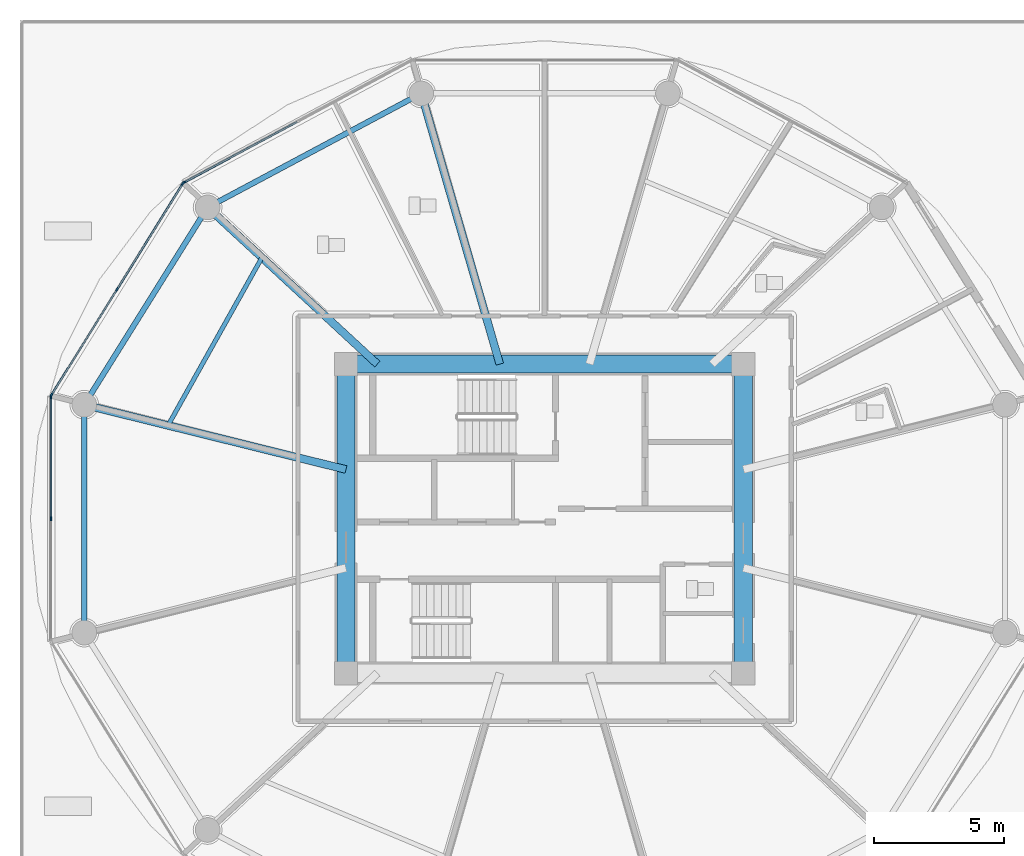
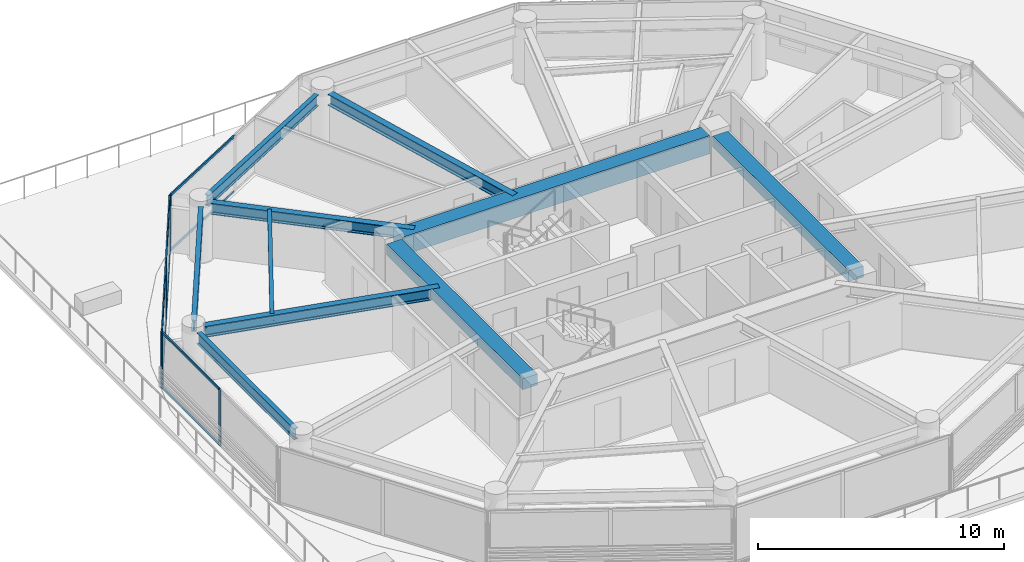
# One storey, part 4 of 32: 14 members, 10 beams, 3 elements without a shape of their own.
"""IFC4 building model written with IfcOpenShell, lengths in metres."""

from ifc_helpers import new_model, si_unit, direction, frame, origin, origin_2d, place, context, subcontext, project, spatial, rectangle, i_section, extrude, source, transform, mapped, material, layer, layer_set, material_profile, profile_set, type_object, type_shapes, element, aggregate, save


model = new_model("IFC4")

# Units and contexts
model_context = context("Model", 3, precision=1e-05, world=origin(), true_north=direction((0.0, 1.0)))
body_context = subcontext(model_context, "Body", "Model", "MODEL_VIEW")
ifc_project = project(units=[si_unit("LENGTHUNIT", "METRE"), si_unit("AREAUNIT", "SQUARE_METRE"), si_unit("VOLUMEUNIT", "CUBIC_METRE"), si_unit("PLANEANGLEUNIT", "RADIAN"), si_unit("MASSUNIT", "GRAM", prefix="KILO")], contexts=[model_context])

# Site, building, storey
site_placement = place(None, origin())
site = spatial("IfcSite", under=ifc_project, at=site_placement, CompositionType="ELEMENT")
building_placement = place(site_placement, origin())
building = spatial("IfcBuilding", under=site, at=building_placement, Name="Norrkilde Senior Care Towers", CompositionType="ELEMENT")
storey_placement = place(building_placement, frame((0.0, 0.0, 21.60009765625)))
storey = spatial("IfcBuildingStorey", under=building, at=storey_placement, Name="L05", CompositionType="ELEMENT", Elevation=21.60009765625)

# Beams
ifc_material_1 = material(Name="Concrete C60/75", Category="concrete")
ifc_material_profile_1 = material_profile(ifc_material_1, rectangle(XDim=0.699951171875, YDim=0.89990234375, at=origin_2d()), Name="RC BM 700x900")
ifc_profile_set_1 = profile_set([ifc_material_profile_1], Name="Concrete C60/75")
beam_type_1 = type_object("IfcBeamType", Name="Core Coupling Girder 700x900", PredefinedType="USERDEFINED", material=ifc_profile_set_1)
shared_shape_1 = source(origin(), body_context, "Body", "SweptSolid", [
    extrude(rectangle(XDim=0.699951171875, YDim=0.89990234375, at=origin_2d()), origin(), (0.0, 0.0, 1.0), 14.43994140625),
])
type_shapes(beam_type_1, [shared_shape_1])
beam_1_placement = place(storey_placement, frame((-35.219970703125, 5.949951171875, 2.33984375), z_axis=(1.0, 0.0, 0.0), x_axis=(0.0, 1.0, 0.0)))
element("IfcBeam", 1, at=beam_1_placement, inside=storey, type_object=beam_type_1, Name="L05 Core W N Coupling Girder", ObjectType="GIRDER", PredefinedType="USERDEFINED", context=body_context, shape_type="MappedRepresentation", body=[
    mapped(shared_shape_1, transform((0.0, 0.0, 0.0), x_axis=(1.0, 0.0, 0.0), y_axis=(0.0, 1.0, 0.0), z_axis=(0.0, 0.0, 1.0), scale=1.0)),
])
ifc_material_profile_2 = material_profile(ifc_material_1, rectangle(XDim=0.699951171875, YDim=0.550048828125, at=origin_2d()), Name="RC BM 700x550")
ifc_profile_set_2 = profile_set([ifc_material_profile_2], Name="Concrete C60/75")
beam_type_2 = type_object("IfcBeamType", Name="Core Portal Coupling Beam 700x550", PredefinedType="USERDEFINED", material=ifc_profile_set_2)
shared_shape_2 = source(origin(), body_context, "Body", "SweptSolid", [
    extrude(rectangle(XDim=0.699951171875, YDim=0.550048828125, at=origin_2d()), origin(), (0.0, 0.0, 1.0), 11.0400390625),
])
type_shapes(beam_type_2, [shared_shape_2])
for number, where, z_axis, x_axis, name in (
    (2, (-35.64990234375, -5.52001953125, 2.514892578125), (0.0, 1.0, 0.0), (-1.0, 0.0, 0.0), "L05 Core W W Coupling Girder"),
    (3, (-20.35009765625, -5.52001953125, 2.514892578125), (0.0, 1.0, 0.0), (-1.0, 0.0, 0.0), "L05 Core W E Coupling Girder"),
):
    element("IfcBeam", number, at=place(storey_placement, frame(where, z_axis=z_axis, x_axis=x_axis)), inside=storey, type_object=beam_type_2, Name=name, ObjectType="GIRDER", PredefinedType="USERDEFINED", context=body_context, shape_type="MappedRepresentation", body=[
        mapped(shared_shape_2, transform((0.0, 0.0, 0.0), x_axis=(1.0, 0.0, 0.0), y_axis=(0.0, 1.0, 0.0), z_axis=(0.0, 0.0, 1.0), scale=1.0)),
    ])
ifc_material_2 = material(Name="Steel S355", Category="steel")
ifc_material_profile_3 = material_profile(ifc_material_2, i_section(OverallWidth=0.2099609375, OverallDepth=0.550048828125, WebThickness=0.010986328125, FlangeThickness=0.01708984375, FilletRadius=0.02392578125, at=origin_2d()), Name="IPE 550")
ifc_profile_set_3 = profile_set([ifc_material_profile_3], Name="Steel S355")
beam_type_3 = type_object("IfcBeamType", Name="Perimeter Ring Spandrel Z1 IPE550", PredefinedType="SPANDREL", material=ifc_profile_set_3)
shared_shape_3 = source(origin(), body_context, "Body", "SweptSolid", [
    extrude(i_section(OverallWidth=0.2099609375, OverallDepth=0.550048828125, WebThickness=0.010986328125, FlangeThickness=0.01708984375, FilletRadius=0.02392578125, at=origin_2d()), origin(), (0.0, 0.0, 1.0), 8.090576171875),
])
beam_2_placement = place(storey_placement, frame((-41.2060546875, 11.61669921875, 2.514892578125), z_axis=(-0.530004364821, -0.84799491347, 0.0), x_axis=(0.84799491347, -0.530004364821, 0.0)))
element("IfcBeam", 4, at=beam_2_placement, inside=storey, type_object=beam_type_3, Name="L05 Drum W Perimeter Spandrel 05", PredefinedType="SPANDREL", context=body_context, shape_type="MappedRepresentation", body=[
    mapped(shared_shape_3, transform((0.0, 0.0, 0.0), x_axis=(1.0, 0.0, 0.0), y_axis=(0.0, 1.0, 0.0), z_axis=(0.0, 0.0, 1.0), scale=1.0)),
])
ifc_material_profile_4 = material_profile(ifc_material_2, i_section(OverallWidth=0.300048828125, OverallDepth=0.550048828125, WebThickness=0.014892578125, FlangeThickness=0.029052734375, FilletRadius=0.027099609375, at=origin_2d()), Name="HEB 550")
ifc_profile_set_4 = profile_set([ifc_material_profile_4], Name="Steel S355")
beam_type_4 = type_object("IfcBeamType", Name="Radial Floor Beam Z1 HEB550", PredefinedType="BEAM", material=ifc_profile_set_4)
shared_shape_4 = source(origin(), body_context, "Body", "SweptSolid", [
    extrude(i_section(OverallWidth=0.300048828125, OverallDepth=0.550048828125, WebThickness=0.014892578125, FlangeThickness=0.029052734375, FilletRadius=0.027099609375, at=origin_2d()), origin(), (0.0, 0.0, 1.0), 9.94384765625),
])
beam_3_placement = place(storey_placement, frame((-35.64990234375, 1.893310546875, 2.514892578125), z_axis=(-0.970707425182, 0.240264634718, 0.0), x_axis=(-0.240264634718, -0.970707425182, 0.0)))
element("IfcBeam", 5, at=beam_3_placement, inside=storey, type_object=beam_type_4, Name="L05 Drum W Radial Floor Beam 06", PredefinedType="BEAM", context=body_context, shape_type="MappedRepresentation", body=[
    mapped(shared_shape_4, transform((0.0, 0.0, 0.0), x_axis=(1.0, 0.0, 0.0), y_axis=(0.0, 1.0, 0.0), z_axis=(0.0, 0.0, 1.0), scale=1.0)),
])
shared_shape_5 = source(origin(), body_context, "Body", "SweptSolid", [
    extrude(i_section(OverallWidth=0.2099609375, OverallDepth=0.550048828125, WebThickness=0.010986328125, FlangeThickness=0.01708984375, FilletRadius=0.02392578125, at=origin_2d()), origin(), (0.0, 0.0, 1.0), 8.452880859375),
])
beam_4_placement = place(storey_placement, frame((-33.133056640625, 16.167724609375, 2.514892578125), z_axis=(-0.882368931134, -0.470558252898, 0.0), x_axis=(0.470558252898, -0.882368931134, 0.0)))
element("IfcBeam", 6, at=beam_4_placement, inside=storey, type_object=beam_type_3, Name="L05 Drum W Perimeter Spandrel 04", PredefinedType="SPANDREL", context=body_context, shape_type="MappedRepresentation", body=[
    mapped(shared_shape_5, transform((0.0, 0.0, 0.0), x_axis=(1.0, 0.0, 0.0), y_axis=(0.0, 1.0, 0.0), z_axis=(0.0, 0.0, 1.0), scale=1.0)),
])
shared_shape_6 = source(origin(), body_context, "Body", "SweptSolid", [
    extrude(i_section(OverallWidth=0.300048828125, OverallDepth=0.550048828125, WebThickness=0.014892578125, FlangeThickness=0.029052734375, FilletRadius=0.027099609375, at=origin_2d()), origin(), (0.0, 0.0, 1.0), 8.459716796875),
])
beam_5_placement = place(storey_placement, frame((-34.44140625, 5.949951171875, 2.514892578125), z_axis=(-0.734573269108, 0.678529374686, 0.0), x_axis=(-0.678529374686, -0.734573269108, 0.0)))
element("IfcBeam", 7, at=beam_5_placement, inside=storey, type_object=beam_type_4, Name="L05 Drum W Radial Floor Beam 05", PredefinedType="BEAM", context=body_context, shape_type="MappedRepresentation", body=[
    mapped(shared_shape_6, transform((0.0, 0.0, 0.0), x_axis=(1.0, 0.0, 0.0), y_axis=(0.0, 1.0, 0.0), z_axis=(0.0, 0.0, 1.0), scale=1.0)),
])
shared_shape_7 = source(origin(), body_context, "Body", "SweptSolid", [
    extrude(i_section(OverallWidth=0.300048828125, OverallDepth=0.550048828125, WebThickness=0.014892578125, FlangeThickness=0.029052734375, FilletRadius=0.027099609375, at=origin_2d()), origin(), (0.0, 0.0, 1.0), 10.4169921875),
])
type_shapes(beam_type_4, [shared_shape_4, shared_shape_6, shared_shape_7])
beam_6_placement = place(storey_placement, frame((-29.72607421875, 5.949951171875, 2.514892578125), z_axis=(-0.278591250785, 0.960409764104, 0.0), x_axis=(-0.960409764104, -0.278591250785, 0.0)))
element("IfcBeam", 8, at=beam_6_placement, inside=storey, type_object=beam_type_4, Name="L05 Drum W Radial Floor Beam 04", PredefinedType="BEAM", context=body_context, shape_type="MappedRepresentation", body=[
    mapped(shared_shape_7, transform((0.0, 0.0, 0.0), x_axis=(1.0, 0.0, 0.0), y_axis=(0.0, 1.0, 0.0), z_axis=(0.0, 0.0, 1.0), scale=1.0)),
])
shared_shape_8 = source(origin(), body_context, "Body", "SweptSolid", [
    extrude(i_section(OverallWidth=0.2099609375, OverallDepth=0.550048828125, WebThickness=0.010986328125, FlangeThickness=0.01708984375, FilletRadius=0.02392578125, at=origin_2d()), origin(), (0.0, 0.0, 1.0), 7.90380859375),
])
type_shapes(beam_type_3, [shared_shape_3, shared_shape_5, shared_shape_8])
beam_7_placement = place(storey_placement, frame((-45.724853515625, 3.951904296875, 2.514892578125), z_axis=(0.0, -1.0, 0.0), x_axis=(1.0, 0.0, 0.0)))
element("IfcBeam", 9, at=beam_7_placement, inside=storey, type_object=beam_type_3, Name="L05 Drum W Perimeter Spandrel 06", PredefinedType="SPANDREL", context=body_context, shape_type="MappedRepresentation", body=[
    mapped(shared_shape_8, transform((0.0, 0.0, 0.0), x_axis=(1.0, 0.0, 0.0), y_axis=(0.0, 1.0, 0.0), z_axis=(0.0, 0.0, 1.0), scale=1.0)),
])
ifc_material_profile_5 = material_profile(ifc_material_2, i_section(OverallWidth=0.169921875, OverallDepth=0.360107421875, WebThickness=0.008056640625, FlangeThickness=0.0126953125, FilletRadius=0.01806640625, at=origin_2d()), Name="IPE 360")
ifc_profile_set_5 = profile_set([ifc_material_profile_5], Name="Steel S355")
beam_type_5 = type_object("IfcBeamType", Name="Secondary Floor Joist IPE360", PredefinedType="JOIST", material=ifc_profile_set_5)
shared_shape_9 = source(origin(), body_context, "Body", "SweptSolid", [
    extrude(i_section(OverallWidth=0.169921875, OverallDepth=0.360107421875, WebThickness=0.008056640625, FlangeThickness=0.0126953125, FilletRadius=0.01806640625, at=origin_2d()), origin(), (0.0, 0.0, 1.0), 7.40771484375),
])
type_shapes(beam_type_5, [shared_shape_9])
beam_8_placement = place(storey_placement, frame((-38.884521484375, 10.05419921875, 2.60986328125), z_axis=(-0.488167754092, -0.872749817453, 0.0), x_axis=(0.872749817453, -0.488167754092, 0.0)))
element("IfcBeam", 10, at=beam_8_placement, inside=storey, type_object=beam_type_5, Name="L05 Drum W Secondary Floor Joist 2", PredefinedType="JOIST", context=body_context, shape_type="MappedRepresentation", body=[
    mapped(shared_shape_9, transform((0.0, 0.0, 0.0), x_axis=(1.0, 0.0, 0.0), y_axis=(0.0, 1.0, 0.0), z_axis=(0.0, 0.0, 1.0), scale=1.0)),
])

# Curtain wall, member
ifc_material_3 = material(Name="Triple Low-E Insulated Glazing", Category="glass")
ifc_layer = layer(ifc_material_3, 0.199951171875)
ifc_layer_set = layer_set([ifc_layer], Name="Triple Low-E Insulated Glazing")
curtain_wall_type = type_object("IfcCurtainWallType", Name="CW2 Zone 1 Memory Care Curtain Wall", PredefinedType="NOTDEFINED", material=ifc_layer_set)
curtain_wall_1_placement = place(storey_placement, origin())
curtain_wall_1 = element("IfcCurtainWall", 11, at=curtain_wall_1_placement, inside=storey, type_object=curtain_wall_type, Name="L05 Drum W Curtain Wall 03", PredefinedType="NOTDEFINED")
ifc_material_4 = material(Name="Anodised Aluminium", Category="aluminium")
ifc_material_profile_6 = material_profile(ifc_material_4, rectangle(XDim=0.06494140625, YDim=0.159912109375, at=origin_2d()), Name="ALU MULL 65x160")
ifc_profile_set_6 = profile_set([ifc_material_profile_6], Name="Anodised Aluminium")
member_type_1 = type_object("IfcMemberType", Name="Curtain Wall Mullion Z1-Z2 65x160", PredefinedType="MULLION", material=ifc_profile_set_6)
shared_shape_10 = source(origin(), body_context, "Body", "SweptSolid", [
    extrude(rectangle(XDim=0.06494140625, YDim=0.159912109375, at=origin_2d()), origin(), (0.0, 0.0, 1.0), 2.789794921875),
])
type_shapes(member_type_1, [shared_shape_10])
member_1_placement = place(storey_placement, frame((-41.88720703125, 12.941162109375, 0.0), z_axis=(0.0, 0.0, 1.0), x_axis=(-0.472607802456, 0.881272866403, 0.0)))
member_1 = element("IfcMember", 12, at=member_1_placement, type_object=member_type_1, Name="CW-2 mullion 1", PredefinedType="MULLION", context=body_context, shape_type="MappedRepresentation", body=[
    mapped(shared_shape_10, transform((0.0, 0.0, 0.0), x_axis=(1.0, 0.0, 0.0), y_axis=(0.0, 1.0, 0.0), z_axis=(0.0, 0.0, 1.0), scale=1.0)),
])

# Curtain wall, members
curtain_wall_2_placement = place(storey_placement, origin())
curtain_wall_2 = element("IfcCurtainWall", 13, at=curtain_wall_2_placement, inside=storey, type_object=curtain_wall_type, Name="L05 Drum W Curtain Wall 04", PredefinedType="NOTDEFINED")
member_2_placement = place(storey_placement, frame((-46.9921875, 4.7587890625, 0.0), z_axis=(0.0, 0.0, 1.0), x_axis=(-0.849305943117, 0.527900951871, 0.0)))
member_2 = element("IfcMember", 14, at=member_2_placement, type_object=member_type_1, Name="CW-2 mullion 1", PredefinedType="MULLION", context=body_context, shape_type="MappedRepresentation", body=[
    mapped(shared_shape_10, transform((0.0, 0.0, 0.0), x_axis=(1.0, 0.0, 0.0), y_axis=(0.0, 1.0, 0.0), z_axis=(0.0, 0.0, 1.0), scale=1.0)),
])
member_3_placement = place(storey_placement, frame((-44.462646484375, 8.82861328125, 0.0), z_axis=(0.0, 0.0, 1.0), x_axis=(-0.849305943117, 0.527900951871, 0.0)))
member_3 = element("IfcMember", 15, at=member_3_placement, type_object=member_type_1, Name="CW-2 mullion 2", PredefinedType="MULLION", context=body_context, shape_type="MappedRepresentation", body=[
    mapped(shared_shape_10, transform((0.0, 0.0, 0.0), x_axis=(1.0, 0.0, 0.0), y_axis=(0.0, 1.0, 0.0), z_axis=(0.0, 0.0, 1.0), scale=1.0)),
])
member_4_placement = place(storey_placement, frame((-41.93310546875, 12.898193359375, 0.0), z_axis=(0.0, 0.0, 1.0), x_axis=(-0.849305943117, 0.527900951871, 0.0)))
member_4 = element("IfcMember", 16, at=member_4_placement, type_object=member_type_1, Name="CW-2 mullion 3", PredefinedType="MULLION", context=body_context, shape_type="MappedRepresentation", body=[
    mapped(shared_shape_10, transform((0.0, 0.0, 0.0), x_axis=(1.0, 0.0, 0.0), y_axis=(0.0, 1.0, 0.0), z_axis=(0.0, 0.0, 1.0), scale=1.0)),
])

curtain_wall_3_placement = place(storey_placement, origin())
curtain_wall_3 = element("IfcCurtainWall", 17, at=curtain_wall_3_placement, inside=storey, type_object=curtain_wall_type, Name="L05 Drum W Curtain Wall 05", PredefinedType="NOTDEFINED")
member_5_placement = place(storey_placement, frame((-47.009521484375, 0.0, 0.0), z_axis=(0.0, 0.0, 1.0), x_axis=(-1.0, 0.0, 0.0)))
member_5 = element("IfcMember", 18, at=member_5_placement, type_object=member_type_1, Name="CW-2 mullion 2", PredefinedType="MULLION", context=body_context, shape_type="MappedRepresentation", body=[
    mapped(shared_shape_10, transform((0.0, 0.0, 0.0), x_axis=(1.0, 0.0, 0.0), y_axis=(0.0, 1.0, 0.0), z_axis=(0.0, 0.0, 1.0), scale=1.0)),
])
member_6_placement = place(storey_placement, frame((-47.009521484375, 4.69873046875, 0.0), z_axis=(0.0, 0.0, 1.0), x_axis=(-1.0, 0.0, 0.0)))
member_6 = element("IfcMember", 19, at=member_6_placement, type_object=member_type_1, Name="CW-2 mullion 3", PredefinedType="MULLION", context=body_context, shape_type="MappedRepresentation", body=[
    mapped(shared_shape_10, transform((0.0, 0.0, 0.0), x_axis=(1.0, 0.0, 0.0), y_axis=(0.0, 1.0, 0.0), z_axis=(0.0, 0.0, 1.0), scale=1.0)),
])

# Member
ifc_material_profile_7 = material_profile(ifc_material_4, rectangle(XDim=0.06005859375, YDim=0.1201171875, at=origin_2d()), Name="ALU TRAN 60x120")
ifc_profile_set_7 = profile_set([ifc_material_profile_7], Name="Anodised Aluminium")
member_type_2 = type_object("IfcMemberType", Name="Curtain Wall Transom Typical 60x120", PredefinedType="USERDEFINED", material=ifc_profile_set_7)
shared_shape_11 = source(origin(), body_context, "Body", "SweptSolid", [
    extrude(rectangle(XDim=0.06005859375, YDim=0.1201171875, at=origin_2d()), origin(), (0.0, 0.0, 1.0), 4.907958984375),
])
member_7_placement = place(storey_placement, frame((-41.858642578125, 12.95654296875, 0.02978515625), z_axis=(0.881266902561, 0.472618923077, 0.0), x_axis=(-0.472618923077, 0.881266902561, 0.0)))
member_7 = element("IfcMember", 20, at=member_7_placement, type_object=member_type_2, Name="CW-2 transom 1.1", ObjectType="TRANSOM", PredefinedType="USERDEFINED", context=body_context, shape_type="MappedRepresentation", body=[
    mapped(shared_shape_11, transform((0.0, 0.0, 0.0), x_axis=(1.0, 0.0, 0.0), y_axis=(0.0, 1.0, 0.0), z_axis=(0.0, 0.0, 1.0), scale=1.0)),
])

member_8_placement = place(storey_placement, frame((-41.858642578125, 12.95654296875, 2.760009765625), z_axis=(0.881266902561, 0.472618923077, 0.0), x_axis=(-0.472618923077, 0.881266902561, 0.0)))
member_8 = element("IfcMember", 21, at=member_8_placement, type_object=member_type_2, Name="CW-2 transom 1.2", ObjectType="TRANSOM", PredefinedType="USERDEFINED", context=body_context, shape_type="MappedRepresentation", body=[
    mapped(shared_shape_11, transform((0.0, 0.0, 0.0), x_axis=(1.0, 0.0, 0.0), y_axis=(0.0, 1.0, 0.0), z_axis=(0.0, 0.0, 1.0), scale=1.0)),
])

aggregate(curtain_wall_1, [member_1, member_7, member_8])

shared_shape_12 = source(origin(), body_context, "Body", "SweptSolid", [
    extrude(rectangle(XDim=0.06005859375, YDim=0.1201171875, at=origin_2d()), origin(), (0.0, 0.0, 1.0), 4.72705078125),
])
member_9_placement = place(storey_placement, frame((-46.97509765625, 4.786376953125, 0.02978515625), z_axis=(0.527898881076, 0.849307230252, 0.0), x_axis=(-0.849307230252, 0.527898881076, 0.0)))
member_9 = element("IfcMember", 22, at=member_9_placement, type_object=member_type_2, Name="CW-2 transom 1.1", ObjectType="TRANSOM", PredefinedType="USERDEFINED", context=body_context, shape_type="MappedRepresentation", body=[
    mapped(shared_shape_12, transform((0.0, 0.0, 0.0), x_axis=(1.0, 0.0, 0.0), y_axis=(0.0, 1.0, 0.0), z_axis=(0.0, 0.0, 1.0), scale=1.0)),
])

member_10_placement = place(storey_placement, frame((-46.97509765625, 4.786376953125, 2.760009765625), z_axis=(0.527898881076, 0.849307230252, 0.0), x_axis=(-0.849307230252, 0.527898881076, 0.0)))
member_10 = element("IfcMember", 23, at=member_10_placement, type_object=member_type_2, Name="CW-2 transom 1.2", ObjectType="TRANSOM", PredefinedType="USERDEFINED", context=body_context, shape_type="MappedRepresentation", body=[
    mapped(shared_shape_12, transform((0.0, 0.0, 0.0), x_axis=(1.0, 0.0, 0.0), y_axis=(0.0, 1.0, 0.0), z_axis=(0.0, 0.0, 1.0), scale=1.0)),
])

shared_shape_13 = source(origin(), body_context, "Body", "SweptSolid", [
    extrude(rectangle(XDim=0.06005859375, YDim=0.1201171875, at=origin_2d()), origin(), (0.0, 0.0, 1.0), 4.726806640625),
])
member_11_placement = place(storey_placement, frame((-44.445556640625, 8.856201171875, 0.02978515625), z_axis=(0.527922038395, 0.849292836056, 0.0), x_axis=(-0.849292836056, 0.527922038395, 0.0)))
member_11 = element("IfcMember", 24, at=member_11_placement, type_object=member_type_2, Name="CW-2 transom 2.1", ObjectType="TRANSOM", PredefinedType="USERDEFINED", context=body_context, shape_type="MappedRepresentation", body=[
    mapped(shared_shape_13, transform((0.0, 0.0, 0.0), x_axis=(1.0, 0.0, 0.0), y_axis=(0.0, 1.0, 0.0), z_axis=(0.0, 0.0, 1.0), scale=1.0)),
])

member_12_placement = place(storey_placement, frame((-44.445556640625, 8.856201171875, 2.760009765625), z_axis=(0.527922038395, 0.849292836056, 0.0), x_axis=(-0.849292836056, 0.527922038395, 0.0)))
member_12 = element("IfcMember", 25, at=member_12_placement, type_object=member_type_2, Name="CW-2 transom 2.2", ObjectType="TRANSOM", PredefinedType="USERDEFINED", context=body_context, shape_type="MappedRepresentation", body=[
    mapped(shared_shape_13, transform((0.0, 0.0, 0.0), x_axis=(1.0, 0.0, 0.0), y_axis=(0.0, 1.0, 0.0), z_axis=(0.0, 0.0, 1.0), scale=1.0)),
])

aggregate(curtain_wall_2, [member_2, member_3, member_4, member_9, member_10, member_11, member_12])

shared_shape_14 = source(origin(), body_context, "Body", "SweptSolid", [
    extrude(rectangle(XDim=0.06005859375, YDim=0.1201171875, at=origin_2d()), origin(), (0.0, 0.0, 1.0), 4.6337890625),
])
type_shapes(member_type_2, [shared_shape_11, shared_shape_12, shared_shape_13, shared_shape_14])
member_13_placement = place(storey_placement, frame((-47.009521484375, 0.032470703125, 0.02978515625), z_axis=(0.0, 1.0, 0.0), x_axis=(-1.0, 0.0, 0.0)))
member_13 = element("IfcMember", 26, at=member_13_placement, type_object=member_type_2, Name="CW-2 transom 2.1", ObjectType="TRANSOM", PredefinedType="USERDEFINED", context=body_context, shape_type="MappedRepresentation", body=[
    mapped(shared_shape_14, transform((0.0, 0.0, 0.0), x_axis=(1.0, 0.0, 0.0), y_axis=(0.0, 1.0, 0.0), z_axis=(0.0, 0.0, 1.0), scale=1.0)),
])

member_14_placement = place(storey_placement, frame((-47.009521484375, 0.032470703125, 2.760009765625), z_axis=(0.0, 1.0, 0.0), x_axis=(-1.0, 0.0, 0.0)))
member_14 = element("IfcMember", 27, at=member_14_placement, type_object=member_type_2, Name="CW-2 transom 2.2", ObjectType="TRANSOM", PredefinedType="USERDEFINED", context=body_context, shape_type="MappedRepresentation", body=[
    mapped(shared_shape_14, transform((0.0, 0.0, 0.0), x_axis=(1.0, 0.0, 0.0), y_axis=(0.0, 1.0, 0.0), z_axis=(0.0, 0.0, 1.0), scale=1.0)),
])

aggregate(curtain_wall_3, [member_5, member_6, member_13, member_14])

save(model, "model.ifc")
